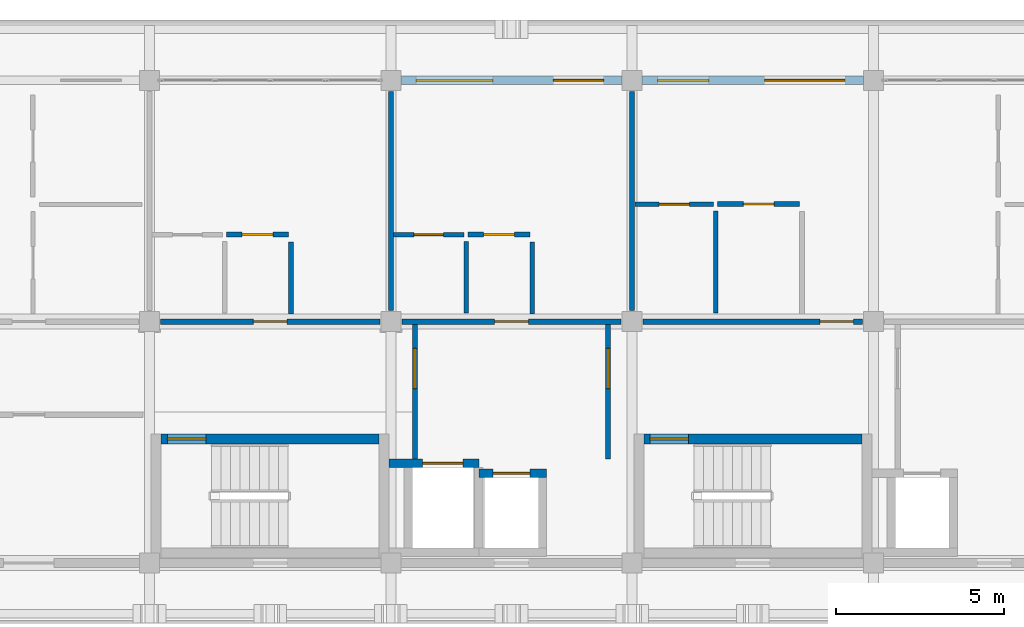
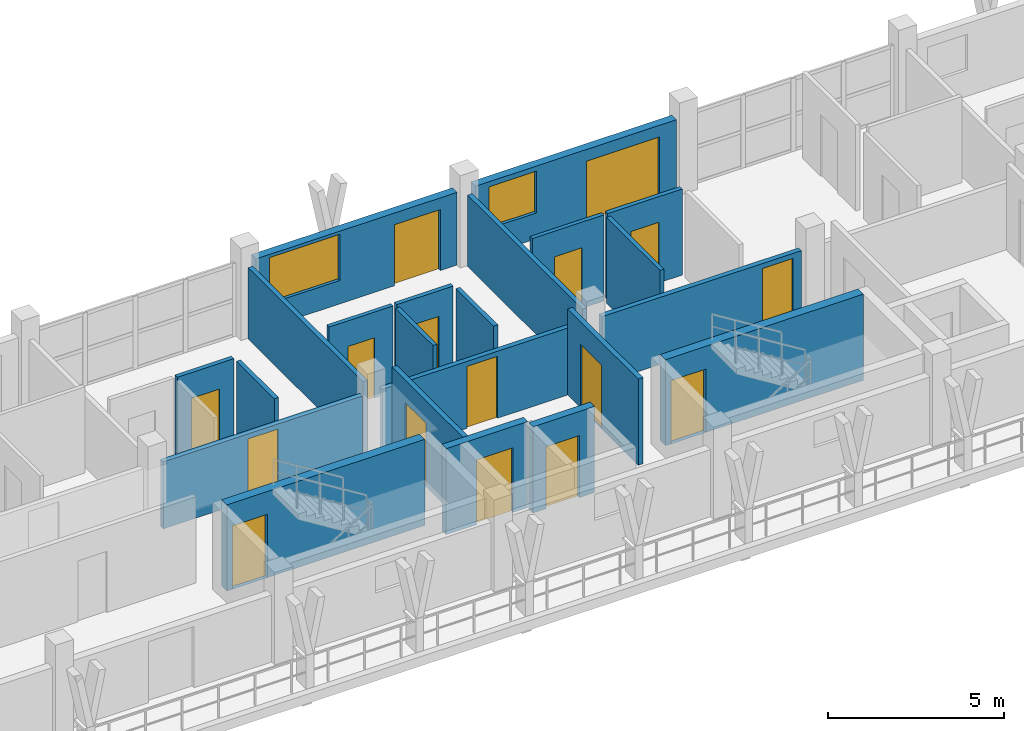
# One storey, part 40 of 67: 22 walls, 16 doors, 2 windows, 18 openings.
"""IFC4 building model written with IfcOpenShell, lengths in metres."""

from ifc_helpers import new_model, si_unit, direction, frame, frame_2d, origin, place, context, subcontext, project, spatial, rectangle, extrude, material, layer, layer_set, type_object, element, fill, save


model = new_model("IFC4")

# Units and contexts
model_context = context("Model", 3, precision=1e-05, world=origin(), true_north=direction((0.0, 1.0)))
body_context = subcontext(model_context, "Body", "Model", "MODEL_VIEW")
ifc_project = project(units=[si_unit("LENGTHUNIT", "METRE"), si_unit("AREAUNIT", "SQUARE_METRE"), si_unit("VOLUMEUNIT", "CUBIC_METRE"), si_unit("PLANEANGLEUNIT", "RADIAN"), si_unit("MASSUNIT", "GRAM", prefix="KILO")], contexts=[model_context])

# Site, building, storey
site_placement = place(None, origin())
site = spatial("IfcSite", under=ifc_project, at=site_placement, CompositionType="ELEMENT")
building_placement = place(site_placement, origin())
building = spatial("IfcBuilding", under=site, at=building_placement, Name="Suanplinth Sawtooth Commons", CompositionType="ELEMENT")
storey_placement = place(building_placement, frame((0.0, 0.0, 25.10009765625)))
storey = spatial("IfcBuildingStorey", under=building, at=storey_placement, Name="L07", CompositionType="ELEMENT", Elevation=25.10009765625)

# Wall, opening, door
ifc_material_1 = material(Name="Concrete C40/50", Category="concrete")
ifc_layer_1 = layer(ifc_material_1, 0.300048828125, Name="Standard RC stair and lift core wall 300mm")
ifc_layer_set_1 = layer_set([ifc_layer_1], Name="Concrete C40/50")
wall_type_1 = type_object("IfcWallType", Name="W-CR02", PredefinedType="SHEAR", material=ifc_layer_set_1)
wall_1_placement = place(storey_placement, frame((43.550048828125, 111.699951171875, 0.0), z_axis=(0.0, 0.0, 1.0), x_axis=(1.0, 0.0, 0.0)))
wall_1 = element("IfcWall", 1, at=wall_1_placement, inside=storey, type_object=wall_type_1, Name="W-L07-C-A1-STN", PredefinedType="SHEAR", context=body_context, shape_type="SweptSolid", body=[
    extrude(rectangle(XDim=6.5, YDim=0.300048828125, at=frame_2d((3.25, 0.0))), origin(), (0.0, 0.0, 1.0), 2.989990234375),
])
opening_1_placement = place(wall_1_placement, frame((0.179931640625, 0.0, 0.0)))
opening_1 = element("IfcOpeningElement", 2, at=opening_1_placement, cuts=wall_1, Name="Opening FD0041", PredefinedType="OPENING", context=body_context, shape_type="SweptSolid", body=[
    extrude(rectangle(XDim=1.14990234375, YDim=2.199951171875, at=frame_2d((0.574951171875, 1.10009765625))), frame((0.0, 0.1650390625, 0.0), z_axis=(0.0, -1.0, 0.0), x_axis=(1.0, 0.0, 0.0)), (0.0, 0.0, 1.0), 0.329833984375),
])
ifc_material_2 = material(Name="Teak hardwood fire-rated door assembly", Category="wood")
door_type_1 = type_object("IfcDoorType", Name="FD-01", OperationType="NOTDEFINED", PredefinedType="DOOR", material=ifc_material_2)
door_1_placement = place(opening_1_placement, frame((1.14990234375, 0.0, 0.0), z_axis=(0.0, 0.0, 1.0), x_axis=(-1.0, 0.0, 0.0)))
door_1 = element("IfcDoor", 3, at=door_1_placement, inside=storey, type_object=door_type_1, Name="Exit Stair Fire Door FD0041", OperationType="SINGLE_SWING_RIGHT", OverallHeight=2.199951171875, OverallWidth=1.14990234375, PredefinedType="DOOR", context=body_context, shape_type="SweptSolid", body=[
    extrude(rectangle(XDim=1.14990234375, YDim=2.199951171875, at=frame_2d((0.574951171875, 1.10009765625))), frame((0.0, 0.02490234375, 0.0), z_axis=(0.0, -1.0, 0.0), x_axis=(1.0, 0.0, 0.0)), (0.0, 0.0, 1.0), 0.050048828125),
])
fill(opening_1, door_1)

wall_2_placement = place(storey_placement, frame((57.949951171875, 111.699951171875, 0.0), z_axis=(0.0, 0.0, 1.0), x_axis=(1.0, 0.0, 0.0)))
wall_2 = element("IfcWall", 4, at=wall_2_placement, inside=storey, type_object=wall_type_1, Name="W-L07-C-A2-STN", PredefinedType="SHEAR", context=body_context, shape_type="SweptSolid", body=[
    extrude(rectangle(XDim=6.5, YDim=0.300048828125, at=frame_2d((3.25, 0.0))), origin(), (0.0, 0.0, 1.0), 2.989990234375),
])
opening_2_placement = place(wall_2_placement, frame((0.179931640625, 0.0, 0.0)))
opening_2 = element("IfcOpeningElement", 5, at=opening_2_placement, cuts=wall_2, Name="Opening FD0118", PredefinedType="OPENING", context=body_context, shape_type="SweptSolid", body=[
    extrude(rectangle(XDim=1.14990234375, YDim=2.199951171875, at=frame_2d((0.574951171875, 1.10009765625))), frame((0.0, 0.1650390625, 0.0), z_axis=(0.0, -1.0, 0.0), x_axis=(1.0, 0.0, 0.0)), (0.0, 0.0, 1.0), 0.329833984375),
])
door_2_placement = place(opening_2_placement, frame((1.14990234375, 0.0, 0.0), z_axis=(0.0, 0.0, 1.0), x_axis=(-1.0, 0.0, 0.0)))
door_2 = element("IfcDoor", 6, at=door_2_placement, inside=storey, type_object=door_type_1, Name="Exit Stair Fire Door FD0118", OperationType="SINGLE_SWING_LEFT", OverallHeight=2.199951171875, OverallWidth=1.14990234375, PredefinedType="DOOR", context=body_context, shape_type="SweptSolid", body=[
    extrude(rectangle(XDim=1.14990234375, YDim=2.199951171875, at=frame_2d((0.574951171875, 1.10009765625))), frame((0.0, 0.02490234375, 0.0), z_axis=(0.0, -1.0, 0.0), x_axis=(1.0, 0.0, 0.0)), (0.0, 0.0, 1.0), 0.050048828125),
])
fill(opening_2, door_2)

# Wall, openings, door, window
ifc_material_3 = material(Name="Precast concrete C40/50", Category="concrete")
ifc_layer_2 = layer(ifc_material_3, 0.260009765625, Name="Insulated precast courtyard facade wall 260mm")
ifc_layer_set_2 = layer_set([ifc_layer_2], Name="Precast concrete C40/50")
wall_type_2 = type_object("IfcWallType", Name="W-EX02", PredefinedType="ELEMENTEDWALL", material=ifc_layer_set_2)
wall_3_placement = place(storey_placement, frame((50.699951171875, 122.39990234375, 0.0), z_axis=(0.0, 0.0, 1.0), x_axis=(1.0, 0.0, 0.0)))
wall_3 = element("IfcWall", 7, at=wall_3_placement, inside=storey, type_object=wall_type_2, Name="Facade Wall W-L07-A-N-6", PredefinedType="ELEMENTEDWALL", context=body_context, shape_type="SweptSolid", body=[
    extrude(rectangle(XDim=6.60009765625, YDim=0.260009765625, at=frame_2d((3.300048828125, 0.0))), origin(), (0.0, 0.0, 1.0), 2.52490234375),
])
opening_3_placement = place(wall_3_placement, frame((4.550048828125, 0.0, 0.0)))
opening_3 = element("IfcOpeningElement", 8, at=opening_3_placement, cuts=wall_3, Name="Opening ED0560", PredefinedType="OPENING", context=body_context, shape_type="SweptSolid", body=[
    extrude(rectangle(XDim=1.5, YDim=2.1201171875, at=frame_2d((0.75, 1.06005859375))), frame((0.0, 0.14501953125, 0.0), z_axis=(0.0, -1.0, 0.0), x_axis=(1.0, 0.0, 0.0)), (0.0, 0.0, 1.0), 0.289794921875),
])
opening_4_placement = place(wall_3_placement, frame((0.449951171875, 0.0, 0.81494140625)))
opening_4 = element("IfcOpeningElement", 9, at=opening_4_placement, cuts=wall_3, Name="Opening W0642", PredefinedType="OPENING", context=body_context, shape_type="SweptSolid", body=[
    extrude(rectangle(XDim=2.300048828125, YDim=1.60009765625, at=frame_2d((1.14990234375, 0.800048828125))), frame((0.0, 0.14501953125, 0.0), z_axis=(0.0, -1.0, 0.0), x_axis=(1.0, 0.0, 0.0)), (0.0, 0.0, 1.0), 0.289794921875),
])
ifc_material_4 = material(Name="Anodized aluminium and low-E glass", Category="aluminium")
door_type_2 = type_object("IfcDoorType", Name="SD-03", OperationType="SLIDING_TO_LEFT", PredefinedType="DOOR", material=ifc_material_4)
door_3_placement = place(opening_3_placement, frame((1.5, 0.0, 0.0), z_axis=(0.0, 0.0, 1.0), x_axis=(-1.0, 0.0, 0.0)))
door_3 = element("IfcDoor", 10, at=door_3_placement, inside=storey, type_object=door_type_2, Name="Balcony Sliding Door L07-A-N-6", OperationType="SLIDING_TO_LEFT", OverallHeight=2.1201171875, OverallWidth=1.5, PredefinedType="DOOR", context=body_context, shape_type="SweptSolid", body=[
    extrude(rectangle(XDim=1.5, YDim=2.1201171875, at=frame_2d((0.75, 1.06005859375))), frame((0.0, 0.02490234375, 0.0), z_axis=(0.0, -1.0, 0.0), x_axis=(1.0, 0.0, 0.0)), (0.0, 0.0, 1.0), 0.050048828125),
])
fill(opening_3, door_3)
ifc_material_5 = material(Name="Thermally broken aluminium and low-E double glazing", Category="aluminium")
window_type_1 = type_object("IfcWindowType", Name="WN-21", PartitioningType="TRIPLE_PANEL_VERTICAL", PredefinedType="WINDOW", material=ifc_material_5)
window_1_placement = place(opening_4_placement, origin())
window_1 = element("IfcWindow", 11, at=window_1_placement, inside=storey, type_object=window_type_1, Name="Window L07-A-N-6", OverallHeight=1.60009765625, OverallWidth=2.300048828125, PartitioningType="TRIPLE_PANEL_VERTICAL", PredefinedType="WINDOW", context=body_context, shape_type="SweptSolid", body=[
    extrude(rectangle(XDim=2.300048828125, YDim=1.60009765625, at=frame_2d((1.14990234375, 0.800048828125))), frame((0.0, 0.030029296875, 0.0), z_axis=(0.0, -1.0, 0.0), x_axis=(1.0, 0.0, 0.0)), (0.0, 0.0, 1.0), 0.06005859375),
])
fill(opening_4, window_1)

wall_4_placement = place(storey_placement, frame((57.89990234375, 122.39990234375, 0.0), z_axis=(0.0, 0.0, 1.0), x_axis=(1.0, 0.0, 0.0)))
wall_4 = element("IfcWall", 12, at=wall_4_placement, inside=storey, type_object=wall_type_2, Name="Facade Wall W-L07-A-N-7", PredefinedType="ELEMENTEDWALL", context=body_context, shape_type="SweptSolid", body=[
    extrude(rectangle(XDim=6.60009765625, YDim=0.260009765625, at=frame_2d((3.300048828125, 0.0))), origin(), (0.0, 0.0, 1.0), 2.52490234375),
])
opening_5_placement = place(wall_4_placement, frame((3.64990234375, 0.0, 0.0)))
opening_5 = element("IfcOpeningElement", 13, at=opening_5_placement, cuts=wall_4, Name="Opening ED0561", PredefinedType="OPENING", context=body_context, shape_type="SweptSolid", body=[
    extrude(rectangle(XDim=2.39990234375, YDim=2.1201171875, at=frame_2d((1.199951171875, 1.06005859375))), frame((0.0, 0.14501953125, 0.0), z_axis=(0.0, -1.0, 0.0), x_axis=(1.0, 0.0, 0.0)), (0.0, 0.0, 1.0), 0.289794921875),
])
opening_6_placement = place(wall_4_placement, frame((0.449951171875, 0.0, 0.89990234375)))
opening_6 = element("IfcOpeningElement", 14, at=opening_6_placement, cuts=wall_4, Name="Opening W0644", PredefinedType="OPENING", context=body_context, shape_type="SweptSolid", body=[
    extrude(rectangle(XDim=1.550048828125, YDim=1.449951171875, at=frame_2d((0.77490234375, 0.72509765625))), frame((0.0, 0.14501953125, 0.0), z_axis=(0.0, -1.0, 0.0), x_axis=(1.0, 0.0, 0.0)), (0.0, 0.0, 1.0), 0.289794921875),
])
door_type_3 = type_object("IfcDoorType", Name="SD-04", OperationType="DOUBLE_DOOR_SLIDING", PredefinedType="DOOR", material=ifc_material_4)
door_4_placement = place(opening_5_placement, frame((2.39990234375, 0.0, 0.0), z_axis=(0.0, 0.0, 1.0), x_axis=(-1.0, 0.0, 0.0)))
door_4 = element("IfcDoor", 15, at=door_4_placement, inside=storey, type_object=door_type_3, Name="Balcony Sliding Door L07-A-N-7", OperationType="DOUBLE_DOOR_SLIDING", OverallHeight=2.1201171875, OverallWidth=2.39990234375, PredefinedType="DOOR", context=body_context, shape_type="SweptSolid", body=[
    extrude(rectangle(XDim=2.39990234375, YDim=2.1201171875, at=frame_2d((1.199951171875, 1.06005859375))), frame((0.0, 0.02490234375, 0.0), z_axis=(0.0, -1.0, 0.0), x_axis=(1.0, 0.0, 0.0)), (0.0, 0.0, 1.0), 0.050048828125),
])
fill(opening_5, door_4)
window_type_2 = type_object("IfcWindowType", Name="WN-22", PartitioningType="DOUBLE_PANEL_VERTICAL", PredefinedType="WINDOW", material=ifc_material_5)
window_2_placement = place(opening_6_placement, origin())
window_2 = element("IfcWindow", 16, at=window_2_placement, inside=storey, type_object=window_type_2, Name="Window L07-A-N-7", OverallHeight=1.449951171875, OverallWidth=1.550048828125, PartitioningType="DOUBLE_PANEL_VERTICAL", PredefinedType="WINDOW", context=body_context, shape_type="SweptSolid", body=[
    extrude(rectangle(XDim=1.550048828125, YDim=1.449951171875, at=frame_2d((0.77490234375, 0.72509765625))), frame((0.0, 0.030029296875, 0.0), z_axis=(0.0, -1.0, 0.0), x_axis=(1.0, 0.0, 0.0)), (0.0, 0.0, 1.0), 0.06005859375),
])
fill(opening_6, window_2)

# Wall, opening, door
ifc_layer_3 = layer(ifc_material_3, 0.159912109375, Name="Fire-rated corridor and lobby wall 160mm")
ifc_layer_set_3 = layer_set([ifc_layer_3], Name="Precast concrete C40/50")
wall_type_3 = type_object("IfcWallType", Name="W-FW01", PredefinedType="PARTITIONING", material=ifc_layer_set_3)
wall_5_placement = place(storey_placement, frame((51.1201171875, 111.10009765625, 0.0), z_axis=(0.0, 0.0, 1.0), x_axis=(0.0, 1.0, 0.0)))
wall_5 = element("IfcWall", 17, at=wall_5_placement, inside=storey, type_object=wall_type_3, Name="W-L07-C-A1-LOB-W", PredefinedType="PARTITIONING", context=body_context, shape_type="SweptSolid", body=[
    extrude(rectangle(XDim=4.02001953125, YDim=0.159912109375, at=frame_2d((2.010009765625, 0.0))), origin(), (0.0, 0.0, 1.0), 2.989990234375),
])
opening_7_placement = place(wall_5_placement, frame((2.10009765625, 0.0, 0.0)))
opening_7 = element("IfcOpeningElement", 18, at=opening_7_placement, cuts=wall_5, Name="Opening FD0042", PredefinedType="OPENING", context=body_context, shape_type="SweptSolid", body=[
    extrude(rectangle(XDim=1.199951171875, YDim=2.199951171875, at=frame_2d((0.60009765625, 1.10009765625))), frame((0.0, 0.0947265625, 0.0), z_axis=(0.0, -1.0, 0.0), x_axis=(1.0, 0.0, 0.0)), (0.0, 0.0, 1.0), 0.189697265625),
])
door_type_4 = type_object("IfcDoorType", Name="FD-02", OperationType="NOTDEFINED", PredefinedType="DOOR", material=ifc_material_2)
door_5_placement = place(opening_7_placement, origin())
door_5 = element("IfcDoor", 19, at=door_5_placement, inside=storey, type_object=door_type_4, Name="Lobby Fire Door FD0042", OperationType="SINGLE_SWING_LEFT", OverallHeight=2.199951171875, OverallWidth=1.199951171875, PredefinedType="DOOR", context=body_context, shape_type="SweptSolid", body=[
    extrude(rectangle(XDim=1.199951171875, YDim=2.199951171875, at=frame_2d((0.60009765625, 1.10009765625))), frame((0.0, 0.02490234375, 0.0), z_axis=(0.0, -1.0, 0.0), x_axis=(1.0, 0.0, 0.0)), (0.0, 0.0, 1.0), 0.050048828125),
])
fill(opening_7, door_5)

wall_6_placement = place(storey_placement, frame((56.8798828125, 111.10009765625, 0.0), z_axis=(0.0, 0.0, 1.0), x_axis=(0.0, 1.0, 0.0)))
wall_6 = element("IfcWall", 20, at=wall_6_placement, inside=storey, type_object=wall_type_3, Name="W-L07-C-A1-LOB-E", PredefinedType="PARTITIONING", context=body_context, shape_type="SweptSolid", body=[
    extrude(rectangle(XDim=4.02001953125, YDim=0.159912109375, at=frame_2d((2.010009765625, 0.0))), origin(), (0.0, 0.0, 1.0), 2.989990234375),
])
opening_8_placement = place(wall_6_placement, frame((2.10009765625, 0.0, 0.0)))
opening_8 = element("IfcOpeningElement", 21, at=opening_8_placement, cuts=wall_6, Name="Opening FD0043", PredefinedType="OPENING", context=body_context, shape_type="SweptSolid", body=[
    extrude(rectangle(XDim=1.199951171875, YDim=2.199951171875, at=frame_2d((0.60009765625, 1.10009765625))), frame((0.0, 0.0947265625, 0.0), z_axis=(0.0, -1.0, 0.0), x_axis=(1.0, 0.0, 0.0)), (0.0, 0.0, 1.0), 0.189697265625),
])
door_6_placement = place(opening_8_placement, frame((1.199951171875, 0.0, 0.0), z_axis=(0.0, 0.0, 1.0), x_axis=(-1.0, 0.0, 0.0)))
door_6 = element("IfcDoor", 22, at=door_6_placement, inside=storey, type_object=door_type_4, Name="Lobby Fire Door FD0043", OperationType="SINGLE_SWING_RIGHT", OverallHeight=2.199951171875, OverallWidth=1.199951171875, PredefinedType="DOOR", context=body_context, shape_type="SweptSolid", body=[
    extrude(rectangle(XDim=1.199951171875, YDim=2.199951171875, at=frame_2d((0.60009765625, 1.10009765625))), frame((0.0, 0.02490234375, 0.0), z_axis=(0.0, -1.0, 0.0), x_axis=(1.0, 0.0, 0.0)), (0.0, 0.0, 1.0), 0.050048828125),
])
fill(opening_8, door_6)

wall_7_placement = place(storey_placement, frame((43.530029296875, 115.199951171875, 0.0), z_axis=(0.0, 0.0, 1.0), x_axis=(1.0, 0.0, 0.0)))
wall_7 = element("IfcWall", 23, at=wall_7_placement, inside=storey, type_object=wall_type_3, Name="W-A-L07-U04-COR", PredefinedType="PARTITIONING", context=body_context, shape_type="SweptSolid", body=[
    extrude(rectangle(XDim=6.5400390625, YDim=0.159912109375, at=frame_2d((3.27001953125, 0.0))), origin(), (0.0, 0.0, 1.0), 2.324951171875),
])
opening_9_placement = place(wall_7_placement, frame((2.77001953125, 0.0, 0.0)))
opening_9 = element("IfcOpeningElement", 24, at=opening_9_placement, cuts=wall_7, Name="Opening FD1510", PredefinedType="OPENING", context=body_context, shape_type="SweptSolid", body=[
    extrude(rectangle(XDim=1.0, YDim=2.14990234375, at=frame_2d((0.5, 1.074951171875))), frame((0.0, 0.0947265625, 0.0), z_axis=(0.0, -1.0, 0.0), x_axis=(1.0, 0.0, 0.0)), (0.0, 0.0, 1.0), 0.189697265625),
])
door_type_5 = type_object("IfcDoorType", Name="FD-03", OperationType="NOTDEFINED", PredefinedType="DOOR", material=ifc_material_2)
door_7_placement = place(opening_9_placement, origin())
door_7 = element("IfcDoor", 25, at=door_7_placement, inside=storey, type_object=door_type_5, Name="Unit Entrance Door FD1510", OperationType="SINGLE_SWING_RIGHT", OverallHeight=2.14990234375, OverallWidth=1.0, PredefinedType="DOOR", context=body_context, shape_type="SweptSolid", body=[
    extrude(rectangle(XDim=1.0, YDim=2.14990234375, at=frame_2d((0.5, 1.074951171875))), frame((0.0, 0.02490234375, 0.0), z_axis=(0.0, -1.0, 0.0), x_axis=(1.0, 0.0, 0.0)), (0.0, 0.0, 1.0), 0.050048828125),
])
fill(opening_9, door_7)

wall_8_placement = place(storey_placement, frame((50.72998046875, 115.199951171875, 0.0), z_axis=(0.0, 0.0, 1.0), x_axis=(1.0, 0.0, 0.0)))
wall_8 = element("IfcWall", 26, at=wall_8_placement, inside=storey, type_object=wall_type_3, Name="W-A-L07-U05-COR", PredefinedType="PARTITIONING", context=body_context, shape_type="SweptSolid", body=[
    extrude(rectangle(XDim=6.5400390625, YDim=0.159912109375, at=frame_2d((3.27001953125, 0.0))), origin(), (0.0, 0.0, 1.0), 2.324951171875),
])
opening_10_placement = place(wall_8_placement, frame((2.77001953125, 0.0, 0.0)))
opening_10 = element("IfcOpeningElement", 27, at=opening_10_placement, cuts=wall_8, Name="Opening FD1513", PredefinedType="OPENING", context=body_context, shape_type="SweptSolid", body=[
    extrude(rectangle(XDim=1.0, YDim=2.14990234375, at=frame_2d((0.5, 1.074951171875))), frame((0.0, 0.0947265625, 0.0), z_axis=(0.0, -1.0, 0.0), x_axis=(1.0, 0.0, 0.0)), (0.0, 0.0, 1.0), 0.189697265625),
])
door_8_placement = place(opening_10_placement, origin())
door_8 = element("IfcDoor", 28, at=door_8_placement, inside=storey, type_object=door_type_5, Name="Unit Entrance Door FD1513", OperationType="SINGLE_SWING_LEFT", OverallHeight=2.14990234375, OverallWidth=1.0, PredefinedType="DOOR", context=body_context, shape_type="SweptSolid", body=[
    extrude(rectangle(XDim=1.0, YDim=2.14990234375, at=frame_2d((0.5, 1.074951171875))), frame((0.0, 0.02490234375, 0.0), z_axis=(0.0, -1.0, 0.0), x_axis=(1.0, 0.0, 0.0)), (0.0, 0.0, 1.0), 0.050048828125),
])
fill(opening_10, door_8)

wall_9_placement = place(storey_placement, frame((57.929931640625, 115.199951171875, 0.0), z_axis=(0.0, 0.0, 1.0), x_axis=(1.0, 0.0, 0.0)))
wall_9 = element("IfcWall", 29, at=wall_9_placement, inside=storey, type_object=wall_type_3, Name="W-A-L07-U06-COR-S1", PredefinedType="PARTITIONING", context=body_context, shape_type="SweptSolid", body=[
    extrude(rectangle(XDim=6.5400390625, YDim=0.159912109375, at=frame_2d((3.27001953125, 0.0))), origin(), (0.0, 0.0, 1.0), 2.324951171875),
])
opening_11_placement = place(wall_9_placement, frame((5.27001953125, 0.0, 0.0)))
opening_11 = element("IfcOpeningElement", 30, at=opening_11_placement, cuts=wall_9, Name="Opening FD1516", PredefinedType="OPENING", context=body_context, shape_type="SweptSolid", body=[
    extrude(rectangle(XDim=1.0, YDim=2.14990234375, at=frame_2d((0.5, 1.074951171875))), frame((0.0, 0.0947265625, 0.0), z_axis=(0.0, -1.0, 0.0), x_axis=(1.0, 0.0, 0.0)), (0.0, 0.0, 1.0), 0.189697265625),
])
door_9_placement = place(opening_11_placement, origin())
door_9 = element("IfcDoor", 31, at=door_9_placement, inside=storey, type_object=door_type_5, Name="Unit Entrance Door FD1516", OperationType="SINGLE_SWING_RIGHT", OverallHeight=2.14990234375, OverallWidth=1.0, PredefinedType="DOOR", context=body_context, shape_type="SweptSolid", body=[
    extrude(rectangle(XDim=1.0, YDim=2.14990234375, at=frame_2d((0.5, 1.074951171875))), frame((0.0, 0.02490234375, 0.0), z_axis=(0.0, -1.0, 0.0), x_axis=(1.0, 0.0, 0.0)), (0.0, 0.0, 1.0), 0.050048828125),
])
fill(opening_11, door_9)

# Walls
ifc_layer_4 = layer(ifc_material_3, 0.14990234375, Name="Acoustic precast party demising wall 150mm")
ifc_layer_set_4 = layer_set([ifc_layer_4], Name="Precast concrete C40/50")
wall_type_4 = type_object("IfcWallType", Name="W-FW02", PredefinedType="PARTITIONING", material=ifc_layer_set_4)
for number, where, z_axis, x_axis, name in (
    (32, (50.39990234375, 115.530029296875, 0.0), (0.0, 0.0, 1.0), (0.0, 1.0, 0.0), "W-A-L07-U04-PTY"),
    (33, (57.60009765625, 115.530029296875, 0.0), (0.0, 0.0, 1.0), (0.0, 1.0, 0.0), "W-A-L07-U05-PTY"),
):
    element("IfcWall", number, at=place(storey_placement, frame(where, z_axis=z_axis, x_axis=x_axis)), inside=storey, type_object=wall_type_4, Name=name, PredefinedType="PARTITIONING", context=body_context, shape_type="SweptSolid", body=[
        extrude(rectangle(XDim=6.5400390625, YDim=0.14990234375, at=frame_2d((3.27001953125, 0.0))), origin(), (0.0, 0.0, 1.0), 2.474853515625),
    ])

# Wall, opening, door
ifc_material_6 = material(Name="Gypsum plasterboard on steel stud", Category="steel")
ifc_layer_5 = layer(ifc_material_6, 0.139892578125, Name="Fire-rated kitchen partition 140mm")
ifc_layer_set_5 = layer_set([ifc_layer_5], Name="Gypsum plasterboard on steel stud")
wall_type_5 = type_object("IfcWallType", Name="W-PT01", PredefinedType="PARTITIONING", material=ifc_layer_set_5)
wall_10_placement = place(storey_placement, frame((45.5, 117.800048828125, 0.0), z_axis=(0.0, 0.0, 1.0), x_axis=(1.0, 0.0, 0.0)))
wall_10 = element("IfcWall", 34, at=wall_10_placement, inside=storey, type_object=wall_type_5, Name="W-A-L07-U04-KIT1", PredefinedType="PARTITIONING", context=body_context, shape_type="SweptSolid", body=[
    extrude(rectangle(XDim=1.85009765625, YDim=0.139892578125, at=frame_2d((0.925048828125, 0.0))), origin(), (0.0, 0.0, 1.0), 2.989990234375),
])
opening_12_placement = place(wall_10_placement, frame((0.465087890625, 0.0, 0.0)))
opening_12 = element("IfcOpeningElement", 35, at=opening_12_placement, cuts=wall_10, Name="Opening D1512", PredefinedType="OPENING", context=body_context, shape_type="SweptSolid", body=[
    extrude(rectangle(XDim=0.919921875, YDim=2.10009765625, at=frame_2d((0.4599609375, 1.050048828125))), frame((0.0, 0.0849609375, 0.0), z_axis=(0.0, -1.0, 0.0), x_axis=(1.0, 0.0, 0.0)), (0.0, 0.0, 1.0), 0.169677734375),
])
ifc_material_7 = material(Name="Teak hardwood", Category="wood")
door_type_6 = type_object("IfcDoorType", Name="D-02", OperationType="NOTDEFINED", PredefinedType="DOOR", material=ifc_material_7)
door_10_placement = place(opening_12_placement, frame((0.919921875, 0.0, 0.0), z_axis=(0.0, 0.0, 1.0), x_axis=(-1.0, 0.0, 0.0)))
door_10 = element("IfcDoor", 36, at=door_10_placement, inside=storey, type_object=door_type_6, Name="Kitchen Door D1512", OperationType="SINGLE_SWING_RIGHT", OverallHeight=2.10009765625, OverallWidth=0.919921875, PredefinedType="DOOR", context=body_context, shape_type="SweptSolid", body=[
    extrude(rectangle(XDim=0.919921875, YDim=2.10009765625, at=frame_2d((0.4599609375, 1.050048828125))), frame((0.0, 0.02490234375, 0.0), z_axis=(0.0, -1.0, 0.0), x_axis=(1.0, 0.0, 0.0)), (0.0, 0.0, 1.0), 0.050048828125),
])
fill(opening_12, door_10)

# Wall
wall_11_placement = place(storey_placement, frame((47.419921875, 115.429931640625, 0.0), z_axis=(0.0, 0.0, 1.0), x_axis=(0.0, 1.0, 0.0)))
element("IfcWall", 37, at=wall_11_placement, inside=storey, type_object=wall_type_5, Name="W-A-L07-U04-KIT2", PredefinedType="PARTITIONING", context=body_context, shape_type="SweptSolid", body=[
    extrude(rectangle(XDim=2.150146484375, YDim=0.139892578125, at=frame_2d((1.0751953125, 0.0))), origin(), (0.0, 0.0, 1.0), 2.989990234375),
])

# Wall, opening, door
wall_12_placement = place(storey_placement, frame((52.699951171875, 117.800048828125, 0.0), z_axis=(0.0, 0.0, 1.0), x_axis=(1.0, 0.0, 0.0)))
wall_12 = element("IfcWall", 38, at=wall_12_placement, inside=storey, type_object=wall_type_5, Name="W-A-L07-U05-KIT1", PredefinedType="PARTITIONING", context=body_context, shape_type="SweptSolid", body=[
    extrude(rectangle(XDim=1.85009765625, YDim=0.139892578125, at=frame_2d((0.925048828125, 0.0))), origin(), (0.0, 0.0, 1.0), 2.989990234375),
])
opening_13_placement = place(wall_12_placement, frame((0.465087890625, 0.0, 0.0)))
opening_13 = element("IfcOpeningElement", 39, at=opening_13_placement, cuts=wall_12, Name="Opening D1515", PredefinedType="OPENING", context=body_context, shape_type="SweptSolid", body=[
    extrude(rectangle(XDim=0.919921875, YDim=2.10009765625, at=frame_2d((0.4599609375, 1.050048828125))), frame((0.0, 0.0849609375, 0.0), z_axis=(0.0, -1.0, 0.0), x_axis=(1.0, 0.0, 0.0)), (0.0, 0.0, 1.0), 0.169677734375),
])
door_11_placement = place(opening_13_placement, frame((0.919921875, 0.0, 0.0), z_axis=(0.0, 0.0, 1.0), x_axis=(-1.0, 0.0, 0.0)))
door_11 = element("IfcDoor", 40, at=door_11_placement, inside=storey, type_object=door_type_6, Name="Kitchen Door D1515", OperationType="SINGLE_SWING_LEFT", OverallHeight=2.10009765625, OverallWidth=0.919921875, PredefinedType="DOOR", context=body_context, shape_type="SweptSolid", body=[
    extrude(rectangle(XDim=0.919921875, YDim=2.10009765625, at=frame_2d((0.4599609375, 1.050048828125))), frame((0.0, 0.02490234375, 0.0), z_axis=(0.0, -1.0, 0.0), x_axis=(1.0, 0.0, 0.0)), (0.0, 0.0, 1.0), 0.050048828125),
])
fill(opening_13, door_11)

# Wall
wall_13_placement = place(storey_placement, frame((54.6201171875, 115.429931640625, 0.0), z_axis=(0.0, 0.0, 1.0), x_axis=(0.0, 1.0, 0.0)))
element("IfcWall", 41, at=wall_13_placement, inside=storey, type_object=wall_type_5, Name="W-A-L07-U05-KIT2", PredefinedType="PARTITIONING", context=body_context, shape_type="SweptSolid", body=[
    extrude(rectangle(XDim=2.150146484375, YDim=0.139892578125, at=frame_2d((1.0751953125, 0.0))), origin(), (0.0, 0.0, 1.0), 2.989990234375),
])

# Wall, opening, door
wall_14_placement = place(storey_placement, frame((60.14990234375, 118.7099609375, 0.0), z_axis=(0.0, 0.0, 1.0), x_axis=(1.0, 0.0, 0.0)))
wall_14 = element("IfcWall", 42, at=wall_14_placement, inside=storey, type_object=wall_type_5, Name="W-A-L07-U06-KIT1", PredefinedType="PARTITIONING", context=body_context, shape_type="SweptSolid", body=[
    extrude(rectangle(XDim=2.4501953125, YDim=0.139892578125, at=frame_2d((1.22509765625, 0.0))), origin(), (0.0, 0.0, 1.0), 2.989990234375),
])
opening_14_placement = place(wall_14_placement, frame((0.764892578125, 0.0, 0.0)))
opening_14 = element("IfcOpeningElement", 43, at=opening_14_placement, cuts=wall_14, Name="Opening D1518", PredefinedType="OPENING", context=body_context, shape_type="SweptSolid", body=[
    extrude(rectangle(XDim=0.919921875, YDim=2.10009765625, at=frame_2d((0.4599609375, 1.050048828125))), frame((0.0, 0.0849609375, 0.0), z_axis=(0.0, -1.0, 0.0), x_axis=(1.0, 0.0, 0.0)), (0.0, 0.0, 1.0), 0.169677734375),
])
door_12_placement = place(opening_14_placement, frame((0.919921875, 0.0, 0.0), z_axis=(0.0, 0.0, 1.0), x_axis=(-1.0, 0.0, 0.0)))
door_12 = element("IfcDoor", 44, at=door_12_placement, inside=storey, type_object=door_type_6, Name="Kitchen Door D1518", OperationType="SINGLE_SWING_RIGHT", OverallHeight=2.10009765625, OverallWidth=0.919921875, PredefinedType="DOOR", context=body_context, shape_type="SweptSolid", body=[
    extrude(rectangle(XDim=0.919921875, YDim=2.10009765625, at=frame_2d((0.4599609375, 1.050048828125))), frame((0.0, 0.02490234375, 0.0), z_axis=(0.0, -1.0, 0.0), x_axis=(1.0, 0.0, 0.0)), (0.0, 0.0, 1.0), 0.050048828125),
])
fill(opening_14, door_12)

ifc_layer_6 = layer(ifc_material_6, 0.1298828125, Name="Moisture-resistant bathroom partition 130mm")
ifc_layer_set_6 = layer_set([ifc_layer_6], Name="Gypsum plasterboard on steel stud")
wall_type_6 = type_object("IfcWallType", Name="W-PT02", PredefinedType="PARTITIONING", material=ifc_layer_set_6)
wall_15_placement = place(storey_placement, frame((50.47998046875, 117.794921875, 0.0), z_axis=(0.0, 0.0, 1.0), x_axis=(1.0, 0.0, 0.0)))
wall_15 = element("IfcWall", 45, at=wall_15_placement, inside=storey, type_object=wall_type_6, Name="W-A-L07-U05-BTH1", PredefinedType="PARTITIONING", context=body_context, shape_type="SweptSolid", body=[
    extrude(rectangle(XDim=2.10009765625, YDim=0.1298828125, at=frame_2d((1.050048828125, 0.0))), origin(), (0.0, 0.0, 1.0), 2.989990234375),
])
opening_15_placement = place(wall_15_placement, frame((0.610107421875, 0.0, 0.0)))
opening_15 = element("IfcOpeningElement", 46, at=opening_15_placement, cuts=wall_15, Name="Opening D1514", PredefinedType="OPENING", context=body_context, shape_type="SweptSolid", body=[
    extrude(rectangle(XDim=0.8798828125, YDim=2.10009765625, at=frame_2d((0.43994140625, 1.050048828125))), frame((0.0, 0.079833984375, 0.0), z_axis=(0.0, -1.0, 0.0), x_axis=(1.0, 0.0, 0.0)), (0.0, 0.0, 1.0), 0.15966796875),
])
door_type_7 = type_object("IfcDoorType", Name="D-14", OperationType="NOTDEFINED", PredefinedType="DOOR", material=ifc_material_7)
door_13_placement = place(opening_15_placement, frame((0.8798828125, 0.0, 0.0), z_axis=(0.0, 0.0, 1.0), x_axis=(-1.0, 0.0, 0.0)))
door_13 = element("IfcDoor", 47, at=door_13_placement, inside=storey, type_object=door_type_7, Name="Bathroom Door D1514", OperationType="SINGLE_SWING_RIGHT", OverallHeight=2.10009765625, OverallWidth=0.8798828125, PredefinedType="DOOR", context=body_context, shape_type="SweptSolid", body=[
    extrude(rectangle(XDim=0.8798828125, YDim=2.10009765625, at=frame_2d((0.43994140625, 1.050048828125))), frame((0.0, 0.02490234375, 0.0), z_axis=(0.0, -1.0, 0.0), x_axis=(1.0, 0.0, 0.0)), (0.0, 0.0, 1.0), 0.050048828125),
])
fill(opening_15, door_13)

# Wall
wall_16_placement = place(storey_placement, frame((52.64501953125, 115.4599609375, 0.0), z_axis=(0.0, 0.0, 1.0), x_axis=(0.0, 1.0, 0.0)))
element("IfcWall", 48, at=wall_16_placement, inside=storey, type_object=wall_type_6, Name="W-A-L07-U05-BTH2", PredefinedType="PARTITIONING", context=body_context, shape_type="SweptSolid", body=[
    extrude(rectangle(XDim=2.130126953125, YDim=0.1298828125, at=frame_2d((1.06494140625, 0.0))), origin(), (0.0, 0.0, 1.0), 2.989990234375),
])

# Wall, opening, door
wall_17_placement = place(storey_placement, frame((57.679931640625, 118.705078125, 0.0), z_axis=(0.0, 0.0, 1.0), x_axis=(1.0, 0.0, 0.0)))
wall_17 = element("IfcWall", 49, at=wall_17_placement, inside=storey, type_object=wall_type_6, Name="W-A-L07-U06-BTH1", PredefinedType="PARTITIONING", context=body_context, shape_type="SweptSolid", body=[
    extrude(rectangle(XDim=2.35009765625, YDim=0.1298828125, at=frame_2d((1.175048828125, 0.0))), origin(), (0.0, 0.0, 1.0), 2.989990234375),
])
opening_16_placement = place(wall_17_placement, frame((0.72509765625, 0.0, 0.0)))
opening_16 = element("IfcOpeningElement", 50, at=opening_16_placement, cuts=wall_17, Name="Opening D1517", PredefinedType="OPENING", context=body_context, shape_type="SweptSolid", body=[
    extrude(rectangle(XDim=0.89990234375, YDim=2.10009765625, at=frame_2d((0.449951171875, 1.050048828125))), frame((0.0, 0.079833984375, 0.0), z_axis=(0.0, -1.0, 0.0), x_axis=(1.0, 0.0, 0.0)), (0.0, 0.0, 1.0), 0.15966796875),
])
door_type_8 = type_object("IfcDoorType", Name="D-01", OperationType="NOTDEFINED", PredefinedType="DOOR", material=ifc_material_7)
door_14_placement = place(opening_16_placement, frame((0.89990234375, 0.0, 0.0), z_axis=(0.0, 0.0, 1.0), x_axis=(-1.0, 0.0, 0.0)))
door_14 = element("IfcDoor", 51, at=door_14_placement, inside=storey, type_object=door_type_8, Name="Bathroom Door D1517", OperationType="SINGLE_SWING_LEFT", OverallHeight=2.10009765625, OverallWidth=0.89990234375, PredefinedType="DOOR", context=body_context, shape_type="SweptSolid", body=[
    extrude(rectangle(XDim=0.89990234375, YDim=2.10009765625, at=frame_2d((0.449951171875, 1.050048828125))), frame((0.0, 0.02490234375, 0.0), z_axis=(0.0, -1.0, 0.0), x_axis=(1.0, 0.0, 0.0)), (0.0, 0.0, 1.0), 0.050048828125),
])
fill(opening_16, door_14)

# Wall
wall_18_placement = place(storey_placement, frame((60.094970703125, 115.4599609375, 0.0), z_axis=(0.0, 0.0, 1.0), x_axis=(0.0, 1.0, 0.0)))
element("IfcWall", 52, at=wall_18_placement, inside=storey, type_object=wall_type_6, Name="W-A-L07-U06-BTH2", PredefinedType="PARTITIONING", context=body_context, shape_type="SweptSolid", body=[
    extrude(rectangle(XDim=3.0400390625, YDim=0.1298828125, at=frame_2d((1.52001953125, 0.0))), origin(), (0.0, 0.0, 1.0), 2.989990234375),
])

# Wall, opening, door
ifc_layer_7 = layer(ifc_material_3, 0.25, Name="Precast structural shear wall 250mm")
ifc_layer_set_7 = layer_set([ifc_layer_7], Name="Precast concrete C40/50")
wall_type_7 = type_object("IfcWallType", Name="W-SH01", PredefinedType="SHEAR", material=ifc_layer_set_7)
wall_19_placement = place(storey_placement, frame((50.35009765625, 110.97509765625, 0.0), z_axis=(0.0, 0.0, 1.0), x_axis=(1.0, 0.0, 0.0)))
wall_19 = element("IfcWall", 53, at=wall_19_placement, inside=storey, type_object=wall_type_7, Name="W-L07-FL1-N", PredefinedType="SHEAR", context=body_context, shape_type="SweptSolid", body=[
    extrude(rectangle(XDim=2.6748046875, YDim=0.25, at=frame_2d((1.33740234375, 0.0))), origin(), (0.0, 0.0, 1.0), 2.989990234375),
])
opening_17_placement = place(wall_19_placement, frame((1.0, 0.0, 0.0)))
opening_17 = element("IfcOpeningElement", 54, at=opening_17_placement, cuts=wall_19, Name="Opening LD0044", PredefinedType="OPENING", context=body_context, shape_type="SweptSolid", body=[
    extrude(rectangle(XDim=1.199951171875, YDim=2.25, at=frame_2d((0.60009765625, 1.125))), frame((0.0, 0.139892578125, 0.0), z_axis=(0.0, -1.0, 0.0), x_axis=(1.0, 0.0, 0.0)), (0.0, 0.0, 1.0), 0.27978515625),
])
ifc_material_8 = material(Name="Stainless steel Grade 304", Category="steel")
door_type_9 = type_object("IfcDoorType", Name="LD-02", OperationType="SLIDING_TO_LEFT", PredefinedType="DOOR", material=ifc_material_8)
door_15_placement = place(opening_17_placement, origin())
door_15 = element("IfcDoor", 55, at=door_15_placement, inside=storey, type_object=door_type_9, Name="Lift Landing Sliding Door FL1 L07", OperationType="SLIDING_TO_LEFT", OverallHeight=2.25, OverallWidth=1.199951171875, PredefinedType="DOOR", context=body_context, shape_type="SweptSolid", body=[
    extrude(rectangle(XDim=1.199951171875, YDim=2.25, at=frame_2d((0.60009765625, 1.125))), frame((0.0, 0.02490234375, 0.0), z_axis=(0.0, -1.0, 0.0), x_axis=(1.0, 0.0, 0.0)), (0.0, 0.0, 1.0), 0.050048828125),
])
fill(opening_17, door_15)

wall_20_placement = place(storey_placement, frame((53.02490234375, 110.675048828125, 0.0), z_axis=(0.0, 0.0, 1.0), x_axis=(1.0, 0.0, 0.0)))
wall_20 = element("IfcWall", 56, at=wall_20_placement, inside=storey, type_object=wall_type_7, Name="W-L07-LF1-N", PredefinedType="SHEAR", context=body_context, shape_type="SweptSolid", body=[
    extrude(rectangle(XDim=2.025146484375, YDim=0.25, at=frame_2d((1.0126953125, 0.0))), origin(), (0.0, 0.0, 1.0), 2.989990234375),
])
opening_18_placement = place(wall_20_placement, frame((0.425048828125, 0.0, 0.0)))
opening_18 = element("IfcOpeningElement", 57, at=opening_18_placement, cuts=wall_20, Name="Opening LD0045", PredefinedType="OPENING", context=body_context, shape_type="SweptSolid", body=[
    extrude(rectangle(XDim=1.10009765625, YDim=2.14990234375, at=frame_2d((0.550048828125, 1.074951171875))), frame((0.0, 0.139892578125, 0.0), z_axis=(0.0, -1.0, 0.0), x_axis=(1.0, 0.0, 0.0)), (0.0, 0.0, 1.0), 0.27978515625),
])
door_type_10 = type_object("IfcDoorType", Name="LD-01", OperationType="SLIDING_TO_LEFT", PredefinedType="DOOR", material=ifc_material_8)
door_16_placement = place(opening_18_placement, origin())
door_16 = element("IfcDoor", 58, at=door_16_placement, inside=storey, type_object=door_type_10, Name="Lift Landing Sliding Door LF1 L07", OperationType="SLIDING_TO_LEFT", OverallHeight=2.14990234375, OverallWidth=1.10009765625, PredefinedType="DOOR", context=body_context, shape_type="SweptSolid", body=[
    extrude(rectangle(XDim=1.10009765625, YDim=2.14990234375, at=frame_2d((0.550048828125, 1.074951171875))), frame((0.0, 0.02490234375, 0.0), z_axis=(0.0, -1.0, 0.0), x_axis=(1.0, 0.0, 0.0)), (0.0, 0.0, 1.0), 0.050048828125),
])
fill(opening_18, door_16)

save(model, "model.ifc")
